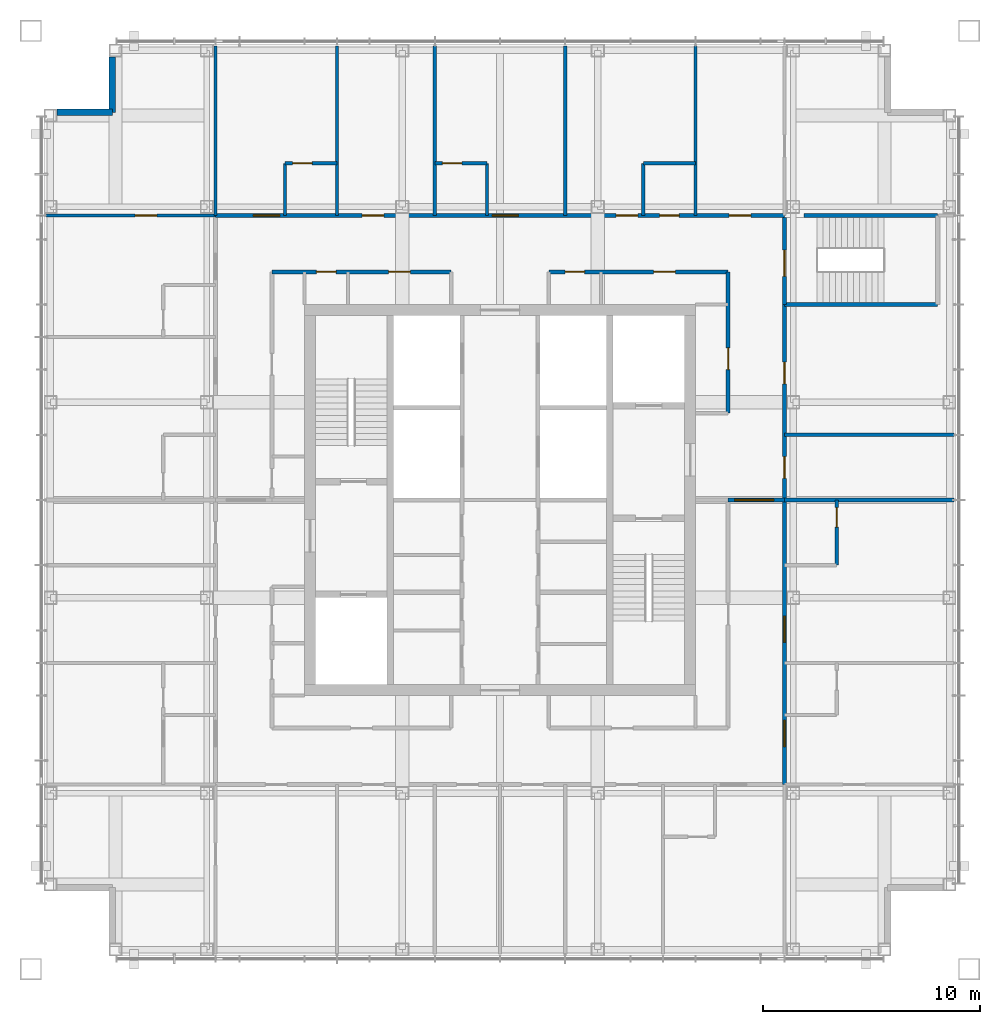
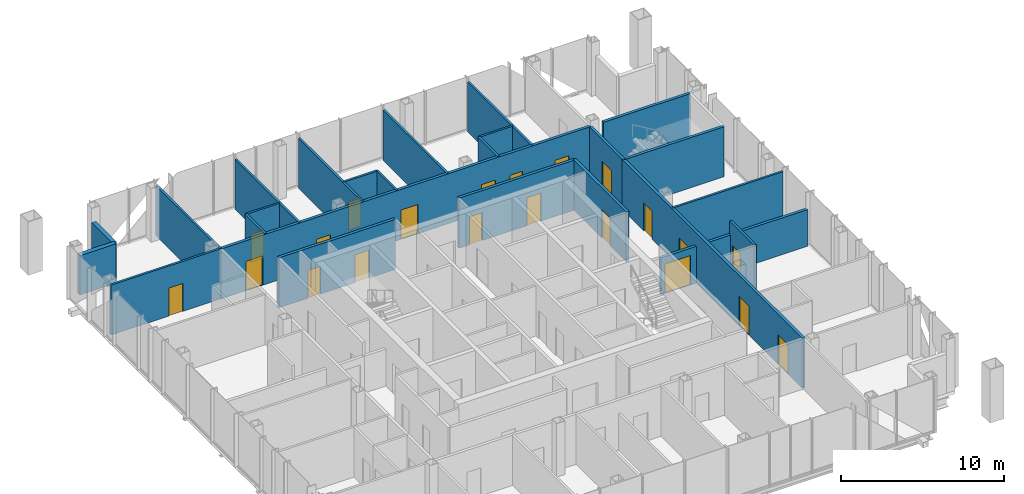
# One storey, part 10 of 16: 26 walls, 21 doors, 21 openings.
"""IFC4 building model written with IfcOpenShell, lengths in metres."""

from ifc_helpers import new_model, si_unit, direction, frame, frame_2d, origin, place, context, subcontext, project, spatial, rectangle, extrude, material, layer, layer_set, type_object, element, fill, save


model = new_model("IFC4")

# Units and contexts
model_context = context("Model", 3, precision=1e-05, world=origin(), true_north=direction((0.0, 1.0)))
body_context = subcontext(model_context, "Body", "Model", "MODEL_VIEW")
ifc_project = project(units=[si_unit("LENGTHUNIT", "METRE"), si_unit("AREAUNIT", "SQUARE_METRE"), si_unit("VOLUMEUNIT", "CUBIC_METRE"), si_unit("PLANEANGLEUNIT", "RADIAN"), si_unit("MASSUNIT", "GRAM", prefix="KILO")], contexts=[model_context])

# Site, building, storey
site_placement = place(None, origin())
site = spatial("IfcSite", under=ifc_project, at=site_placement, CompositionType="ELEMENT")
building_placement = place(site_placement, origin())
building = spatial("IfcBuilding", under=site, at=building_placement, Name="Malebo Sky Hospital", CompositionType="ELEMENT")
storey_placement = place(building_placement, frame((0.0, 0.0, 254.0)))
storey = spatial("IfcBuildingStorey", under=building, at=storey_placement, Name="L61", CompositionType="ELEMENT", Elevation=254.0)

# Wall, openings, doors
ifc_material_1 = material(Name="Gypsum board on steel studs", Category="steel")
ifc_layer_1 = layer(ifc_material_1, 0.199951171875)
ifc_layer_set_1 = layer_set([ifc_layer_1], Name="CORRIDOR WALL 200")
wall_type_1 = type_object("IfcWallType", Name="CORRIDOR WALL 200", PredefinedType="PARTITIONING", material=ifc_layer_set_1)
wall_1_placement = place(storey_placement, frame((46.89990234375, 75.10009765625, 0.0), z_axis=(0.0, 0.0, 1.0), x_axis=(1.0, 0.0, 0.0)))
wall_1 = element("IfcWall", 1, at=wall_1_placement, inside=storey, type_object=wall_type_1, Name="Corridor Wall 200 NCO", PredefinedType="PARTITIONING", context=body_context, shape_type="SweptSolid", body=[
    extrude(rectangle(XDim=26.2001953125, YDim=0.199951171875, at=frame_2d((13.10009765625, 0.0))), origin(), (0.0, 0.0, 1.0), 3.75),
])
opening_1_placement = place(wall_1_placement, frame((1.75, 0.0, 0.0)))
opening_1 = element("IfcOpeningElement", 2, at=opening_1_placement, cuts=wall_1, Name="Opening D01", PredefinedType="OPENING", context=body_context, shape_type="SweptSolid", body=[
    extrude(rectangle(XDim=1.199951171875, YDim=2.199951171875, at=frame_2d((0.60009765625, 1.10009765625))), frame((0.0, 0.10986328125, 0.0), z_axis=(0.0, -1.0, 0.0), x_axis=(1.0, 0.0, 0.0)), (0.0, 0.0, 1.0), 0.219970703125),
])
opening_2_placement = place(wall_1_placement, frame((6.75, 0.0, 0.0)))
opening_2 = element("IfcOpeningElement", 3, at=opening_2_placement, cuts=wall_1, Name="Opening D03", PredefinedType="OPENING", context=body_context, shape_type="SweptSolid", body=[
    extrude(rectangle(XDim=1.0, YDim=2.10009765625, at=frame_2d((0.5, 1.050048828125))), frame((0.0, 0.10986328125, 0.0), z_axis=(0.0, -1.0, 0.0), x_axis=(1.0, 0.0, 0.0)), (0.0, 0.0, 1.0), 0.219970703125),
])
opening_3_placement = place(wall_1_placement, frame((12.75, 0.0, 0.0)))
opening_3 = element("IfcOpeningElement", 4, at=opening_3_placement, cuts=wall_1, Name="Opening D01", PredefinedType="OPENING", context=body_context, shape_type="SweptSolid", body=[
    extrude(rectangle(XDim=1.199951171875, YDim=2.199951171875, at=frame_2d((0.60009765625, 1.10009765625))), frame((0.0, 0.10986328125, 0.0), z_axis=(0.0, -1.0, 0.0), x_axis=(1.0, 0.0, 0.0)), (0.0, 0.0, 1.0), 0.219970703125),
])
opening_4_placement = place(wall_1_placement, frame((20.449951171875, 0.0, 0.0)))
opening_4 = element("IfcOpeningElement", 5, at=opening_4_placement, cuts=wall_1, Name="Opening D04", PredefinedType="OPENING", context=body_context, shape_type="SweptSolid", body=[
    extrude(rectangle(XDim=0.89990234375, YDim=2.10009765625, at=frame_2d((0.449951171875, 1.050048828125))), frame((0.0, 0.10986328125, 0.0), z_axis=(0.0, -1.0, 0.0), x_axis=(1.0, 0.0, 0.0)), (0.0, 0.0, 1.0), 0.219970703125),
])
opening_5_placement = place(wall_1_placement, frame((18.449951171875, 0.0, 0.0)))
opening_5 = element("IfcOpeningElement", 6, at=opening_5_placement, cuts=wall_1, Name="Opening D03", PredefinedType="OPENING", context=body_context, shape_type="SweptSolid", body=[
    extrude(rectangle(XDim=1.0, YDim=2.10009765625, at=frame_2d((0.5, 1.050048828125))), frame((0.0, 0.10986328125, 0.0), z_axis=(0.0, -1.0, 0.0), x_axis=(1.0, 0.0, 0.0)), (0.0, 0.0, 1.0), 0.219970703125),
])
opening_6_placement = place(wall_1_placement, frame((23.64990234375, 0.0, 0.0)))
opening_6 = element("IfcOpeningElement", 7, at=opening_6_placement, cuts=wall_1, Name="Opening D03", PredefinedType="OPENING", context=body_context, shape_type="SweptSolid", body=[
    extrude(rectangle(XDim=1.0, YDim=2.10009765625, at=frame_2d((0.5, 1.050048828125))), frame((0.0, 0.10986328125, 0.0), z_axis=(0.0, -1.0, 0.0), x_axis=(1.0, 0.0, 0.0)), (0.0, 0.0, 1.0), 0.219970703125),
])
ifc_material_2 = material(Name="Hardwood-faced door leaf in steel frame", Category="steel")
door_type_1 = type_object("IfcDoorType", Name="BED DOOR 1200", OperationType="SINGLE_SWING_LEFT", PredefinedType="DOOR", material=ifc_material_2)
door_1_placement = place(opening_1_placement, origin())
door_1 = element("IfcDoor", 8, at=door_1_placement, inside=storey, type_object=door_type_1, Name="Single bed room door", OperationType="SINGLE_SWING_RIGHT", OverallHeight=2.199951171875, OverallWidth=1.199951171875, PredefinedType="DOOR", context=body_context, shape_type="SweptSolid", body=[
    extrude(rectangle(XDim=1.199951171875, YDim=2.199951171875, at=frame_2d((0.60009765625, 1.10009765625))), frame((0.0, 0.02490234375, 0.0), z_axis=(0.0, -1.0, 0.0), x_axis=(1.0, 0.0, 0.0)), (0.0, 0.0, 1.0), 0.050048828125),
])
fill(opening_1, door_1)
door_2_placement = place(opening_3_placement, origin())
door_2 = element("IfcDoor", 9, at=door_2_placement, inside=storey, type_object=door_type_1, Name="Two-bed room door", OperationType="SINGLE_SWING_LEFT", OverallHeight=2.199951171875, OverallWidth=1.199951171875, PredefinedType="DOOR", context=body_context, shape_type="SweptSolid", body=[
    extrude(rectangle(XDim=1.199951171875, YDim=2.199951171875, at=frame_2d((0.60009765625, 1.10009765625))), frame((0.0, 0.02490234375, 0.0), z_axis=(0.0, -1.0, 0.0), x_axis=(1.0, 0.0, 0.0)), (0.0, 0.0, 1.0), 0.050048828125),
])
fill(opening_3, door_2)
door_type_2 = type_object("IfcDoorType", Name="ROOM DOOR 1000", OperationType="SINGLE_SWING_LEFT", PredefinedType="DOOR", material=ifc_material_2)
door_3_placement = place(opening_2_placement, origin())
door_3 = element("IfcDoor", 10, at=door_3_placement, inside=storey, type_object=door_type_2, Name="Nurse station door", OperationType="SINGLE_SWING_LEFT", OverallHeight=2.10009765625, OverallWidth=1.0, PredefinedType="DOOR", context=body_context, shape_type="SweptSolid", body=[
    extrude(rectangle(XDim=1.0, YDim=2.10009765625, at=frame_2d((0.5, 1.050048828125))), frame((0.0, 0.02490234375, 0.0), z_axis=(0.0, -1.0, 0.0), x_axis=(1.0, 0.0, 0.0)), (0.0, 0.0, 1.0), 0.050048828125),
])
fill(opening_2, door_3)
door_4_placement = place(opening_5_placement, origin())
door_4 = element("IfcDoor", 11, at=door_4_placement, inside=storey, type_object=door_type_2, Name="Staff rest room door", OperationType="SINGLE_SWING_RIGHT", OverallHeight=2.10009765625, OverallWidth=1.0, PredefinedType="DOOR", context=body_context, shape_type="SweptSolid", body=[
    extrude(rectangle(XDim=1.0, YDim=2.10009765625, at=frame_2d((0.5, 1.050048828125))), frame((0.0, 0.02490234375, 0.0), z_axis=(0.0, -1.0, 0.0), x_axis=(1.0, 0.0, 0.0)), (0.0, 0.0, 1.0), 0.050048828125),
])
fill(opening_5, door_4)
door_5_placement = place(opening_6_placement, origin())
door_5 = element("IfcDoor", 12, at=door_5_placement, inside=storey, type_object=door_type_2, Name="Patient lounge door", OperationType="SINGLE_SWING_RIGHT", OverallHeight=2.10009765625, OverallWidth=1.0, PredefinedType="DOOR", context=body_context, shape_type="SweptSolid", body=[
    extrude(rectangle(XDim=1.0, YDim=2.10009765625, at=frame_2d((0.5, 1.050048828125))), frame((0.0, 0.02490234375, 0.0), z_axis=(0.0, -1.0, 0.0), x_axis=(1.0, 0.0, 0.0)), (0.0, 0.0, 1.0), 0.050048828125),
])
fill(opening_6, door_5)
door_type_3 = type_object("IfcDoorType", Name="ROOM DOOR 900", OperationType="SINGLE_SWING_LEFT", PredefinedType="DOOR", material=ifc_material_2)
door_6_placement = place(opening_4_placement, origin())
door_6 = element("IfcDoor", 13, at=door_6_placement, inside=storey, type_object=door_type_3, Name="Accessible WC door", OperationType="SINGLE_SWING_LEFT", OverallHeight=2.10009765625, OverallWidth=0.89990234375, PredefinedType="DOOR", context=body_context, shape_type="SweptSolid", body=[
    extrude(rectangle(XDim=0.89990234375, YDim=2.10009765625, at=frame_2d((0.449951171875, 1.050048828125))), frame((0.0, 0.02490234375, 0.0), z_axis=(0.0, -1.0, 0.0), x_axis=(1.0, 0.0, 0.0)), (0.0, 0.0, 1.0), 0.050048828125),
])
fill(opening_4, door_6)

wall_2_placement = place(storey_placement, frame((49.5, 72.5, 0.0), z_axis=(0.0, 0.0, 1.0), x_axis=(1.0, 0.0, 0.0)))
wall_2 = element("IfcWall", 14, at=wall_2_placement, inside=storey, type_object=wall_type_1, Name="Corridor Wall 200 NCI1", PredefinedType="PARTITIONING", context=body_context, shape_type="SweptSolid", body=[
    extrude(rectangle(XDim=8.25, YDim=0.199951171875, at=frame_2d((4.125, 0.0))), origin(), (0.0, 0.0, 1.0), 3.75),
])
opening_7_placement = place(wall_2_placement, frame((2.050048828125, 0.0, 0.0)))
opening_7 = element("IfcOpeningElement", 15, at=opening_7_placement, cuts=wall_2, Name="Opening D04", PredefinedType="OPENING", context=body_context, shape_type="SweptSolid", body=[
    extrude(rectangle(XDim=0.89990234375, YDim=2.10009765625, at=frame_2d((0.449951171875, 1.050048828125))), frame((0.0, 0.10986328125, 0.0), z_axis=(0.0, -1.0, 0.0), x_axis=(1.0, 0.0, 0.0)), (0.0, 0.0, 1.0), 0.219970703125),
])
opening_8_placement = place(wall_2_placement, frame((5.375, 0.0, 0.0)))
opening_8 = element("IfcOpeningElement", 16, at=opening_8_placement, cuts=wall_2, Name="Opening D03", PredefinedType="OPENING", context=body_context, shape_type="SweptSolid", body=[
    extrude(rectangle(XDim=1.0, YDim=2.10009765625, at=frame_2d((0.5, 1.050048828125))), frame((0.0, 0.10986328125, 0.0), z_axis=(0.0, -1.0, 0.0), x_axis=(1.0, 0.0, 0.0)), (0.0, 0.0, 1.0), 0.219970703125),
])
door_7_placement = place(opening_8_placement, origin())
door_7 = element("IfcDoor", 17, at=door_7_placement, inside=storey, type_object=door_type_2, Name="Linen store door", OperationType="SINGLE_SWING_LEFT", OverallHeight=2.10009765625, OverallWidth=1.0, PredefinedType="DOOR", context=body_context, shape_type="SweptSolid", body=[
    extrude(rectangle(XDim=1.0, YDim=2.10009765625, at=frame_2d((0.5, 1.050048828125))), frame((0.0, 0.02490234375, 0.0), z_axis=(0.0, -1.0, 0.0), x_axis=(1.0, 0.0, 0.0)), (0.0, 0.0, 1.0), 0.050048828125),
])
fill(opening_8, door_7)
door_8_placement = place(opening_7_placement, origin())
door_8 = element("IfcDoor", 18, at=door_8_placement, inside=storey, type_object=door_type_3, Name="Staff WC door", OperationType="SINGLE_SWING_LEFT", OverallHeight=2.10009765625, OverallWidth=0.89990234375, PredefinedType="DOOR", context=body_context, shape_type="SweptSolid", body=[
    extrude(rectangle(XDim=0.89990234375, YDim=2.10009765625, at=frame_2d((0.449951171875, 1.050048828125))), frame((0.0, 0.02490234375, 0.0), z_axis=(0.0, -1.0, 0.0), x_axis=(1.0, 0.0, 0.0)), (0.0, 0.0, 1.0), 0.050048828125),
])
fill(opening_7, door_8)

wall_3_placement = place(storey_placement, frame((62.25, 72.5, 0.0), z_axis=(0.0, 0.0, 1.0), x_axis=(1.0, 0.0, 0.0)))
wall_3 = element("IfcWall", 19, at=wall_3_placement, inside=storey, type_object=wall_type_1, Name="Corridor Wall 200 NCI2", PredefinedType="PARTITIONING", context=body_context, shape_type="SweptSolid", body=[
    extrude(rectangle(XDim=8.25, YDim=0.199951171875, at=frame_2d((4.125, 0.0))), origin(), (0.0, 0.0, 1.0), 3.75),
])
opening_9_placement = place(wall_3_placement, frame((0.75, 0.0, 0.0)))
opening_9 = element("IfcOpeningElement", 20, at=opening_9_placement, cuts=wall_3, Name="Opening D04", PredefinedType="OPENING", context=body_context, shape_type="SweptSolid", body=[
    extrude(rectangle(XDim=0.89990234375, YDim=2.10009765625, at=frame_2d((0.449951171875, 1.050048828125))), frame((0.0, 0.10986328125, 0.0), z_axis=(0.0, -1.0, 0.0), x_axis=(1.0, 0.0, 0.0)), (0.0, 0.0, 1.0), 0.219970703125),
])
opening_10_placement = place(wall_3_placement, frame((4.824951171875, 0.0, 0.0)))
opening_10 = element("IfcOpeningElement", 21, at=opening_10_placement, cuts=wall_3, Name="Opening D03", PredefinedType="OPENING", context=body_context, shape_type="SweptSolid", body=[
    extrude(rectangle(XDim=1.0, YDim=2.10009765625, at=frame_2d((0.5, 1.050048828125))), frame((0.0, 0.10986328125, 0.0), z_axis=(0.0, -1.0, 0.0), x_axis=(1.0, 0.0, 0.0)), (0.0, 0.0, 1.0), 0.219970703125),
])
door_9_placement = place(opening_10_placement, origin())
door_9 = element("IfcDoor", 22, at=door_9_placement, inside=storey, type_object=door_type_2, Name="Supplies store door", OperationType="SINGLE_SWING_RIGHT", OverallHeight=2.10009765625, OverallWidth=1.0, PredefinedType="DOOR", context=body_context, shape_type="SweptSolid", body=[
    extrude(rectangle(XDim=1.0, YDim=2.10009765625, at=frame_2d((0.5, 1.050048828125))), frame((0.0, 0.02490234375, 0.0), z_axis=(0.0, -1.0, 0.0), x_axis=(1.0, 0.0, 0.0)), (0.0, 0.0, 1.0), 0.050048828125),
])
fill(opening_10, door_9)
door_10_placement = place(opening_9_placement, origin())
door_10 = element("IfcDoor", 23, at=door_10_placement, inside=storey, type_object=door_type_3, Name="Cleaner's room door", OperationType="SINGLE_SWING_LEFT", OverallHeight=2.10009765625, OverallWidth=0.89990234375, PredefinedType="DOOR", context=body_context, shape_type="SweptSolid", body=[
    extrude(rectangle(XDim=0.89990234375, YDim=2.10009765625, at=frame_2d((0.449951171875, 1.050048828125))), frame((0.0, 0.02490234375, 0.0), z_axis=(0.0, -1.0, 0.0), x_axis=(1.0, 0.0, 0.0)), (0.0, 0.0, 1.0), 0.050048828125),
])
fill(opening_9, door_10)

wall_4_placement = place(storey_placement, frame((73.10009765625, 71.0, 0.0), z_axis=(0.0, 0.0, 1.0), x_axis=(0.0, -1.0, 0.0)))
wall_4 = element("IfcWall", 24, at=wall_4_placement, inside=storey, type_object=wall_type_1, Name="Corridor Wall 200 ECO", PredefinedType="PARTITIONING", context=body_context, shape_type="SweptSolid", body=[
    extrude(rectangle(XDim=22.10009765625, YDim=0.199951171875, at=frame_2d((11.050048828125, 0.0))), origin(), (0.0, 0.0, 1.0), 3.75),
])
opening_11_placement = place(wall_4_placement, frame((2.64990234375, 0.0, 0.0)))
opening_11 = element("IfcOpeningElement", 25, at=opening_11_placement, cuts=wall_4, Name="Opening D03", PredefinedType="OPENING", context=body_context, shape_type="SweptSolid", body=[
    extrude(rectangle(XDim=1.0, YDim=2.10009765625, at=frame_2d((0.5, 1.050048828125))), frame((0.0, 0.10986328125, 0.0), z_axis=(0.0, -1.0, 0.0), x_axis=(1.0, 0.0, 0.0)), (0.0, 0.0, 1.0), 0.219970703125),
])
opening_12_placement = place(wall_4_placement, frame((7.0, 0.0, 0.0)))
opening_12 = element("IfcOpeningElement", 26, at=opening_12_placement, cuts=wall_4, Name="Opening D03", PredefinedType="OPENING", context=body_context, shape_type="SweptSolid", body=[
    extrude(rectangle(XDim=1.0, YDim=2.10009765625, at=frame_2d((0.5, 1.050048828125))), frame((0.0, 0.10986328125, 0.0), z_axis=(0.0, -1.0, 0.0), x_axis=(1.0, 0.0, 0.0)), (0.0, 0.0, 1.0), 0.219970703125),
])
opening_13_placement = place(wall_4_placement, frame((14.35009765625, 0.0, 0.0)))
opening_13 = element("IfcOpeningElement", 27, at=opening_13_placement, cuts=wall_4, Name="Opening D01", PredefinedType="OPENING", context=body_context, shape_type="SweptSolid", body=[
    extrude(rectangle(XDim=1.199951171875, YDim=2.199951171875, at=frame_2d((0.60009765625, 1.10009765625))), frame((0.0, 0.10986328125, 0.0), z_axis=(0.0, -1.0, 0.0), x_axis=(1.0, 0.0, 0.0)), (0.0, 0.0, 1.0), 0.219970703125),
])
opening_14_placement = place(wall_4_placement, frame((19.14990234375, 0.0, 0.0)))
opening_14 = element("IfcOpeningElement", 28, at=opening_14_placement, cuts=wall_4, Name="Opening D01", PredefinedType="OPENING", context=body_context, shape_type="SweptSolid", body=[
    extrude(rectangle(XDim=1.199951171875, YDim=2.199951171875, at=frame_2d((0.60009765625, 1.10009765625))), frame((0.0, 0.10986328125, 0.0), z_axis=(0.0, -1.0, 0.0), x_axis=(1.0, 0.0, 0.0)), (0.0, 0.0, 1.0), 0.219970703125),
])
door_11_placement = place(opening_13_placement, origin())
door_11 = element("IfcDoor", 29, at=door_11_placement, inside=storey, type_object=door_type_1, Name="Two-bed room door", OperationType="SINGLE_SWING_RIGHT", OverallHeight=2.199951171875, OverallWidth=1.199951171875, PredefinedType="DOOR", context=body_context, shape_type="SweptSolid", body=[
    extrude(rectangle(XDim=1.199951171875, YDim=2.199951171875, at=frame_2d((0.60009765625, 1.10009765625))), frame((0.0, 0.02490234375, 0.0), z_axis=(0.0, -1.0, 0.0), x_axis=(1.0, 0.0, 0.0)), (0.0, 0.0, 1.0), 0.050048828125),
])
fill(opening_13, door_11)
door_12_placement = place(opening_14_placement, origin())
door_12 = element("IfcDoor", 30, at=door_12_placement, inside=storey, type_object=door_type_1, Name="Day treatment bay door", OperationType="SINGLE_SWING_LEFT", OverallHeight=2.199951171875, OverallWidth=1.199951171875, PredefinedType="DOOR", context=body_context, shape_type="SweptSolid", body=[
    extrude(rectangle(XDim=1.199951171875, YDim=2.199951171875, at=frame_2d((0.60009765625, 1.10009765625))), frame((0.0, 0.02490234375, 0.0), z_axis=(0.0, -1.0, 0.0), x_axis=(1.0, 0.0, 0.0)), (0.0, 0.0, 1.0), 0.050048828125),
])
fill(opening_14, door_12)
door_13_placement = place(opening_11_placement, origin())
door_13 = element("IfcDoor", 31, at=door_13_placement, inside=storey, type_object=door_type_2, Name="Ward office door", OperationType="SINGLE_SWING_RIGHT", OverallHeight=2.10009765625, OverallWidth=1.0, PredefinedType="DOOR", context=body_context, shape_type="SweptSolid", body=[
    extrude(rectangle(XDim=1.0, YDim=2.10009765625, at=frame_2d((0.5, 1.050048828125))), frame((0.0, 0.02490234375, 0.0), z_axis=(0.0, -1.0, 0.0), x_axis=(1.0, 0.0, 0.0)), (0.0, 0.0, 1.0), 0.050048828125),
])
fill(opening_11, door_13)
door_14_placement = place(opening_12_placement, origin())
door_14 = element("IfcDoor", 32, at=door_14_placement, inside=storey, type_object=door_type_2, Name="Interview room door", OperationType="SINGLE_SWING_RIGHT", OverallHeight=2.10009765625, OverallWidth=1.0, PredefinedType="DOOR", context=body_context, shape_type="SweptSolid", body=[
    extrude(rectangle(XDim=1.0, YDim=2.10009765625, at=frame_2d((0.5, 1.050048828125))), frame((0.0, 0.02490234375, 0.0), z_axis=(0.0, -1.0, 0.0), x_axis=(1.0, 0.0, 0.0)), (0.0, 0.0, 1.0), 0.050048828125),
])
fill(opening_12, door_14)

# Wall, opening, door
wall_5_placement = place(storey_placement, frame((70.5, 72.5, 0.0), z_axis=(0.0, 0.0, 1.0), x_axis=(0.0, -1.0, 0.0)))
wall_5 = element("IfcWall", 33, at=wall_5_placement, inside=storey, type_object=wall_type_1, Name="Corridor Wall 200 ECI1", PredefinedType="PARTITIONING", context=body_context, shape_type="SweptSolid", body=[
    extrude(rectangle(XDim=6.5, YDim=0.199951171875, at=frame_2d((3.25, 0.0))), origin(), (0.0, 0.0, 1.0), 3.75),
])
opening_15_placement = place(wall_5_placement, frame((3.5, 0.0, 0.0)))
opening_15 = element("IfcOpeningElement", 34, at=opening_15_placement, cuts=wall_5, Name="Opening D03", PredefinedType="OPENING", context=body_context, shape_type="SweptSolid", body=[
    extrude(rectangle(XDim=1.0, YDim=2.10009765625, at=frame_2d((0.5, 1.050048828125))), frame((0.0, 0.10986328125, 0.0), z_axis=(0.0, -1.0, 0.0), x_axis=(1.0, 0.0, 0.0)), (0.0, 0.0, 1.0), 0.219970703125),
])
door_15_placement = place(opening_15_placement, origin())
door_15 = element("IfcDoor", 35, at=door_15_placement, inside=storey, type_object=door_type_2, Name="Hoist store door", OperationType="SINGLE_SWING_LEFT", OverallHeight=2.10009765625, OverallWidth=1.0, PredefinedType="DOOR", context=body_context, shape_type="SweptSolid", body=[
    extrude(rectangle(XDim=1.0, YDim=2.10009765625, at=frame_2d((0.5, 1.050048828125))), frame((0.0, 0.02490234375, 0.0), z_axis=(0.0, -1.0, 0.0), x_axis=(1.0, 0.0, 0.0)), (0.0, 0.0, 1.0), 0.050048828125),
])
fill(opening_15, door_15)

# Walls
ifc_material_3 = material(Name="Anodised aluminium rainscreen on steel framing", Category="steel")
ifc_layer_2 = layer(ifc_material_3, 0.300048828125)
ifc_layer_set_2 = layer_set([ifc_layer_2], Name="NOTCH RAINSCREEN WALL 300")
wall_type_2 = type_object("IfcWallType", Name="NOTCH RAINSCREEN WALL 300", PredefinedType="ELEMENTEDWALL", material=ifc_layer_set_2)
for number, where, z_axis, x_axis, name in (
    (36, (39.60009765625, 79.85009765625, 0.0), (0.0, 0.0, 1.0), (1.0, 0.0, 0.0), "Notch rainscreen wall W1 L61"),
    (37, (42.14990234375, 79.85009765625, 0.0), (0.0, 0.0, 1.0), (0.0, 1.0, 0.0), "Notch rainscreen wall W2 L61"),
):
    element("IfcWall", number, at=place(storey_placement, frame(where, z_axis=z_axis, x_axis=x_axis)), inside=storey, type_object=wall_type_2, Name=name, PredefinedType="ELEMENTEDWALL", context=body_context, shape_type="SweptSolid", body=[
        extrude(rectangle(XDim=2.5498046875, YDim=0.300048828125, at=frame_2d((1.27490234375, 0.0))), origin(), (0.0, 0.0, 1.0), 2.949951171875),
    ])
ifc_layer_3 = layer(ifc_material_1, 0.14990234375)
ifc_layer_set_3 = layer_set([ifc_layer_3], Name="PARTITION 150")
wall_type_3 = type_object("IfcWallType", Name="PARTITION 150", PredefinedType="PARTITIONING", material=ifc_layer_set_3)
for number, where, z_axis, x_axis, name in (
    (38, (52.5, 75.10009765625, 0.0), (0.0, 0.0, 1.0), (0.0, 1.0, 0.0), "Partition 150 NP-7.5"),
    (39, (57.0, 75.10009765625, 0.0), (0.0, 0.0, 1.0), (0.0, 1.0, 0.0), "Partition 150 NP-3.0"),
    (40, (63.0, 75.10009765625, 0.0), (0.0, 0.0, 1.0), (0.0, 1.0, 0.0), "Partition 150 NP+3.0"),
    (41, (69.0, 75.10009765625, 0.0), (0.0, 0.0, 1.0), (0.0, 1.0, 0.0), "Partition 150 NP+9.0"),
    (42, (46.89990234375, 75.10009765625, 0.0), (0.0, 0.0, 1.0), (0.0, 1.0, 0.0), "Partition 150 NP0"),
):
    element("IfcWall", number, at=place(storey_placement, frame(where, z_axis=z_axis, x_axis=x_axis)), inside=storey, type_object=wall_type_3, Name=name, PredefinedType="PARTITIONING", context=body_context, shape_type="SweptSolid", body=[
        extrude(rectangle(XDim=7.7998046875, YDim=0.14990234375, at=frame_2d((3.89990234375, 0.0))), origin(), (0.0, 0.0, 1.0), 3.75),
    ])

# Wall, opening, door
wall_6_placement = place(storey_placement, frame((50.10009765625, 77.5, 0.0), z_axis=(0.0, 0.0, 1.0), x_axis=(1.0, 0.0, 0.0)))
wall_6 = element("IfcWall", 43, at=wall_6_placement, inside=storey, type_object=wall_type_3, Name="Partition 150 NE0F", PredefinedType="PARTITIONING", context=body_context, shape_type="SweptSolid", body=[
    extrude(rectangle(XDim=2.39990234375, YDim=0.14990234375, at=frame_2d((1.199951171875, 0.0))), origin(), (0.0, 0.0, 1.0), 3.75),
])
opening_16_placement = place(wall_6_placement, frame((0.35009765625, 0.0, 0.0)))
opening_16 = element("IfcOpeningElement", 44, at=opening_16_placement, cuts=wall_6, Name="Opening D02", PredefinedType="OPENING", context=body_context, shape_type="SweptSolid", body=[
    extrude(rectangle(XDim=0.89990234375, YDim=2.10009765625, at=frame_2d((0.449951171875, 1.050048828125))), frame((0.0, 0.0849609375, 0.0), z_axis=(0.0, -1.0, 0.0), x_axis=(1.0, 0.0, 0.0)), (0.0, 0.0, 1.0), 0.169921875),
])
door_type_4 = type_object("IfcDoorType", Name="EN-SUITE DOOR 900", OperationType="SINGLE_SWING_LEFT", PredefinedType="DOOR", material=ifc_material_2)
door_16_placement = place(opening_16_placement, origin())
door_16 = element("IfcDoor", 45, at=door_16_placement, inside=storey, type_object=door_type_4, Name="En-suite door", OperationType="SINGLE_SWING_LEFT", OverallHeight=2.10009765625, OverallWidth=0.89990234375, PredefinedType="DOOR", context=body_context, shape_type="SweptSolid", body=[
    extrude(rectangle(XDim=0.89990234375, YDim=2.10009765625, at=frame_2d((0.449951171875, 1.050048828125))), frame((0.0, 0.02490234375, 0.0), z_axis=(0.0, -1.0, 0.0), x_axis=(1.0, 0.0, 0.0)), (0.0, 0.0, 1.0), 0.050048828125),
])
fill(opening_16, door_16)

# Wall
wall_7_placement = place(storey_placement, frame((50.10009765625, 75.10009765625, 0.0), z_axis=(0.0, 0.0, 1.0), x_axis=(0.0, 1.0, 0.0)))
element("IfcWall", 46, at=wall_7_placement, inside=storey, type_object=wall_type_3, Name="Partition 150 NE0S", PredefinedType="PARTITIONING", context=body_context, shape_type="SweptSolid", body=[
    extrude(rectangle(XDim=2.39990234375, YDim=0.14990234375, at=frame_2d((1.199951171875, 0.0))), origin(), (0.0, 0.0, 1.0), 3.75),
])

# Wall, opening, door
wall_8_placement = place(storey_placement, frame((57.0, 77.5, 0.0), z_axis=(0.0, 0.0, 1.0), x_axis=(1.0, 0.0, 0.0)))
wall_8 = element("IfcWall", 47, at=wall_8_placement, inside=storey, type_object=wall_type_3, Name="Partition 150 NE2F", PredefinedType="PARTITIONING", context=body_context, shape_type="SweptSolid", body=[
    extrude(rectangle(XDim=2.39990234375, YDim=0.14990234375, at=frame_2d((1.199951171875, 0.0))), origin(), (0.0, 0.0, 1.0), 3.75),
])
opening_17_placement = place(wall_8_placement, frame((0.35009765625, 0.0, 0.0)))
opening_17 = element("IfcOpeningElement", 48, at=opening_17_placement, cuts=wall_8, Name="Opening D02", PredefinedType="OPENING", context=body_context, shape_type="SweptSolid", body=[
    extrude(rectangle(XDim=0.89990234375, YDim=2.10009765625, at=frame_2d((0.449951171875, 1.050048828125))), frame((0.0, 0.0849609375, 0.0), z_axis=(0.0, -1.0, 0.0), x_axis=(1.0, 0.0, 0.0)), (0.0, 0.0, 1.0), 0.169921875),
])
door_17_placement = place(opening_17_placement, origin())
door_17 = element("IfcDoor", 49, at=door_17_placement, inside=storey, type_object=door_type_4, Name="En-suite door", OperationType="SINGLE_SWING_LEFT", OverallHeight=2.10009765625, OverallWidth=0.89990234375, PredefinedType="DOOR", context=body_context, shape_type="SweptSolid", body=[
    extrude(rectangle(XDim=0.89990234375, YDim=2.10009765625, at=frame_2d((0.449951171875, 1.050048828125))), frame((0.0, 0.02490234375, 0.0), z_axis=(0.0, -1.0, 0.0), x_axis=(1.0, 0.0, 0.0)), (0.0, 0.0, 1.0), 0.050048828125),
])
fill(opening_17, door_17)

# Walls
for number, where, z_axis, x_axis, name in (
    (50, (59.39990234375, 75.10009765625, 0.0), (0.0, 0.0, 1.0), (0.0, 1.0, 0.0), "Partition 150 NE2S"),
    (51, (66.60009765625, 77.5, 0.0), (0.0, 0.0, 1.0), (1.0, 0.0, 0.0), "Partition 150 NC3F"),
    (52, (66.60009765625, 75.10009765625, 0.0), (0.0, 0.0, 1.0), (0.0, 1.0, 0.0), "Partition 150 NC3S"),
):
    element("IfcWall", number, at=place(storey_placement, frame(where, z_axis=z_axis, x_axis=x_axis)), inside=storey, type_object=wall_type_3, Name=name, PredefinedType="PARTITIONING", context=body_context, shape_type="SweptSolid", body=[
        extrude(rectangle(XDim=2.39990234375, YDim=0.14990234375, at=frame_2d((1.199951171875, 0.0))), origin(), (0.0, 0.0, 1.0), 3.75),
    ])

# Wall, opening, door
wall_9_placement = place(storey_placement, frame((46.89990234375, 75.10009765625, 0.0), z_axis=(0.0, 0.0, 1.0), x_axis=(-1.0, 0.0, 0.0)))
wall_9 = element("IfcWall", 53, at=wall_9_placement, inside=storey, type_object=wall_type_3, Name="Partition 150 WK", PredefinedType="PARTITIONING", context=body_context, shape_type="SweptSolid", body=[
    extrude(rectangle(XDim=7.7998046875, YDim=0.14990234375, at=frame_2d((3.89990234375, 0.0))), origin(), (0.0, 0.0, 1.0), 3.75),
])
opening_18_placement = place(wall_9_placement, frame((2.699951171875, 0.0, 0.0)))
opening_18 = element("IfcOpeningElement", 54, at=opening_18_placement, cuts=wall_9, Name="Opening D03", PredefinedType="OPENING", context=body_context, shape_type="SweptSolid", body=[
    extrude(rectangle(XDim=1.0, YDim=2.10009765625, at=frame_2d((0.5, 1.050048828125))), frame((0.0, 0.0849609375, 0.0), z_axis=(0.0, -1.0, 0.0), x_axis=(1.0, 0.0, 0.0)), (0.0, 0.0, 1.0), 0.169921875),
])
door_18_placement = place(opening_18_placement, origin())
door_18 = element("IfcDoor", 55, at=door_18_placement, inside=storey, type_object=door_type_2, Name="Infusion chair bay door", OperationType="SINGLE_SWING_LEFT", OverallHeight=2.10009765625, OverallWidth=1.0, PredefinedType="DOOR", context=body_context, shape_type="SweptSolid", body=[
    extrude(rectangle(XDim=1.0, YDim=2.10009765625, at=frame_2d((0.5, 1.050048828125))), frame((0.0, 0.02490234375, 0.0), z_axis=(0.0, -1.0, 0.0), x_axis=(1.0, 0.0, 0.0)), (0.0, 0.0, 1.0), 0.050048828125),
])
fill(opening_18, door_18)

# Wall
wall_10_placement = place(storey_placement, frame((73.10009765625, 65.0, 0.0), z_axis=(0.0, 0.0, 1.0), x_axis=(1.0, 0.0, 0.0)))
element("IfcWall", 56, at=wall_10_placement, inside=storey, type_object=wall_type_3, Name="Partition 150 EP-3.0", PredefinedType="PARTITIONING", context=body_context, shape_type="SweptSolid", body=[
    extrude(rectangle(XDim=7.7998046875, YDim=0.14990234375, at=frame_2d((3.89990234375, 0.0))), origin(), (0.0, 0.0, 1.0), 3.75),
])

# Wall, opening, door
wall_11_placement = place(storey_placement, frame((75.5, 62.0, 0.0), z_axis=(0.0, 0.0, 1.0), x_axis=(0.0, -1.0, 0.0)))
wall_11 = element("IfcWall", 57, at=wall_11_placement, inside=storey, type_object=wall_type_3, Name="Partition 150 EE3F", PredefinedType="PARTITIONING", context=body_context, shape_type="SweptSolid", body=[
    extrude(rectangle(XDim=3.0, YDim=0.14990234375, at=frame_2d((1.5, 0.0))), origin(), (0.0, 0.0, 1.0), 3.75),
])
opening_19_placement = place(wall_11_placement, frame((0.35009765625, 0.0, 0.0)))
opening_19 = element("IfcOpeningElement", 58, at=opening_19_placement, cuts=wall_11, Name="Opening D02", PredefinedType="OPENING", context=body_context, shape_type="SweptSolid", body=[
    extrude(rectangle(XDim=0.89990234375, YDim=2.10009765625, at=frame_2d((0.449951171875, 1.050048828125))), frame((0.0, 0.0849609375, 0.0), z_axis=(0.0, -1.0, 0.0), x_axis=(1.0, 0.0, 0.0)), (0.0, 0.0, 1.0), 0.169921875),
])
door_19_placement = place(opening_19_placement, origin())
door_19 = element("IfcDoor", 59, at=door_19_placement, inside=storey, type_object=door_type_4, Name="En-suite door", OperationType="SINGLE_SWING_LEFT", OverallHeight=2.10009765625, OverallWidth=0.89990234375, PredefinedType="DOOR", context=body_context, shape_type="SweptSolid", body=[
    extrude(rectangle(XDim=0.89990234375, YDim=2.10009765625, at=frame_2d((0.449951171875, 1.050048828125))), frame((0.0, 0.02490234375, 0.0), z_axis=(0.0, -1.0, 0.0), x_axis=(1.0, 0.0, 0.0)), (0.0, 0.0, 1.0), 0.050048828125),
])
fill(opening_19, door_19)

# Wall
ifc_material_4 = material(Name="Concrete blockwork", Category="masonry")
ifc_layer_4 = layer(ifc_material_4, 0.199951171875)
ifc_layer_set_4 = layer_set([ifc_layer_4], Name="SMOKE BARRIER WALL 200")
wall_type_4 = type_object("IfcWallType", Name="SMOKE BARRIER WALL 200", PredefinedType="SOLIDWALL", material=ifc_layer_set_4)
wall_12_placement = place(storey_placement, frame((73.10009765625, 62.0, 0.0), z_axis=(0.0, 0.0, 1.0), x_axis=(1.0, 0.0, 0.0)))
element("IfcWall", 60, at=wall_12_placement, inside=storey, type_object=wall_type_4, Name="Smoke Barrier Wall 200 EP+0.0", PredefinedType="SOLIDWALL", context=body_context, shape_type="SweptSolid", body=[
    extrude(rectangle(XDim=7.7998046875, YDim=0.199951171875, at=frame_2d((3.89990234375, 0.0))), origin(), (0.0, 0.0, 1.0), 2.75),
])

# Wall, opening, door
wall_13_placement = place(storey_placement, frame((70.5, 62.0, 0.0), z_axis=(0.0, 0.0, 1.0), x_axis=(1.0, 0.0, 0.0)))
wall_13 = element("IfcWall", 61, at=wall_13_placement, inside=storey, type_object=wall_type_4, Name="Smoke Barrier Wall 200 ESB", PredefinedType="SOLIDWALL", context=body_context, shape_type="SweptSolid", body=[
    extrude(rectangle(XDim=2.60009765625, YDim=0.199951171875, at=frame_2d((1.300048828125, 0.0))), origin(), (0.0, 0.0, 1.0), 2.75),
])
opening_20_placement = place(wall_13_placement, frame((0.300048828125, 0.0, 0.0)))
opening_20 = element("IfcOpeningElement", 62, at=opening_20_placement, cuts=wall_13, Name="Opening D05", PredefinedType="OPENING", context=body_context, shape_type="SweptSolid", body=[
    extrude(rectangle(XDim=1.800048828125, YDim=2.199951171875, at=frame_2d((0.89990234375, 1.10009765625))), frame((0.0, 0.10986328125, 0.0), z_axis=(0.0, -1.0, 0.0), x_axis=(1.0, 0.0, 0.0)), (0.0, 0.0, 1.0), 0.219970703125),
])
door_type_5 = type_object("IfcDoorType", Name="SMOKE DOOR PAIR 1800", OperationType="DOUBLE_DOOR_DOUBLE_SWING", PredefinedType="DOOR", material=ifc_material_2)
door_20_placement = place(opening_20_placement, origin())
door_20 = element("IfcDoor", 63, at=door_20_placement, inside=storey, type_object=door_type_5, Name="Smoke compartment door pair", OperationType="DOUBLE_DOOR_DOUBLE_SWING", OverallHeight=2.199951171875, OverallWidth=1.800048828125, PredefinedType="DOOR", context=body_context, shape_type="SweptSolid", body=[
    extrude(rectangle(XDim=1.800048828125, YDim=2.199951171875, at=frame_2d((0.89990234375, 1.10009765625))), frame((0.0, 0.02490234375, 0.0), z_axis=(0.0, -1.0, 0.0), x_axis=(1.0, 0.0, 0.0)), (0.0, 0.0, 1.0), 0.050048828125),
])
fill(opening_20, door_20)

ifc_material_5 = material(Name="Concrete C40/50", Category="concrete")
ifc_layer_5 = layer(ifc_material_5, 0.199951171875)
ifc_layer_set_5 = layer_set([ifc_layer_5], Name="STAIR ENCLOSURE WALL 200")
wall_type_5 = type_object("IfcWallType", Name="STAIR ENCLOSURE WALL 200", PredefinedType="SOLIDWALL", material=ifc_layer_set_5)
wall_14_placement = place(storey_placement, frame((73.10009765625, 75.0, 0.0), z_axis=(0.0, 0.0, 1.0), x_axis=(0.0, -1.0, 0.0)))
wall_14 = element("IfcWall", 64, at=wall_14_placement, inside=storey, type_object=wall_type_5, Name="Stair Enclosure Wall 200 ST3W", PredefinedType="SOLIDWALL", context=body_context, shape_type="SweptSolid", body=[
    extrude(rectangle(XDim=4.0, YDim=0.199951171875, at=frame_2d((2.0, 0.0))), origin(), (0.0, 0.0, 1.0), 3.75),
])
opening_21_placement = place(wall_14_placement, frame((1.5, 0.0, 0.0)))
opening_21 = element("IfcOpeningElement", 65, at=opening_21_placement, cuts=wall_14, Name="Opening D08", PredefinedType="OPENING", context=body_context, shape_type="SweptSolid", body=[
    extrude(rectangle(XDim=1.199951171875, YDim=2.10009765625, at=frame_2d((0.60009765625, 1.050048828125))), frame((0.0, 0.10986328125, 0.0), z_axis=(0.0, -1.0, 0.0), x_axis=(1.0, 0.0, 0.0)), (0.0, 0.0, 1.0), 0.219970703125),
])
door_type_6 = type_object("IfcDoorType", Name="STAIR DOOR 1200", OperationType="SINGLE_SWING_LEFT", PredefinedType="DOOR", material=ifc_material_2)
door_21_placement = place(opening_21_placement, origin())
door_21 = element("IfcDoor", 66, at=door_21_placement, inside=storey, type_object=door_type_6, Name="Stair S3 door", OperationType="SINGLE_SWING_RIGHT", OverallHeight=2.10009765625, OverallWidth=1.199951171875, PredefinedType="DOOR", context=body_context, shape_type="SweptSolid", body=[
    extrude(rectangle(XDim=1.199951171875, YDim=2.10009765625, at=frame_2d((0.60009765625, 1.050048828125))), frame((0.0, 0.02490234375, 0.0), z_axis=(0.0, -1.0, 0.0), x_axis=(1.0, 0.0, 0.0)), (0.0, 0.0, 1.0), 0.050048828125),
])
fill(opening_21, door_21)

# Walls
wall_15_placement = place(storey_placement, frame((73.10009765625, 71.0, 0.0), z_axis=(0.0, 0.0, 1.0), x_axis=(1.0, 0.0, 0.0)))
element("IfcWall", 67, at=wall_15_placement, inside=storey, type_object=wall_type_5, Name="Stair Enclosure Wall 200 ST3S", PredefinedType="SOLIDWALL", context=body_context, shape_type="SweptSolid", body=[
    extrude(rectangle(XDim=7.0498046875, YDim=0.199951171875, at=frame_2d((3.52490234375, 0.0))), origin(), (0.0, 0.0, 1.0), 3.75),
])
wall_16_placement = place(storey_placement, frame((74.0, 75.10009765625, 0.0), z_axis=(0.0, 0.0, 1.0), x_axis=(1.0, 0.0, 0.0)))
element("IfcWall", 68, at=wall_16_placement, inside=storey, type_object=wall_type_5, Name="Stair Enclosure Wall 200 ST3N", PredefinedType="SOLIDWALL", context=body_context, shape_type="SweptSolid", body=[
    extrude(rectangle(XDim=6.14990234375, YDim=0.199951171875, at=frame_2d((3.074951171875, 0.0))), origin(), (0.0, 0.0, 1.0), 3.75),
])

save(model, "model.ifc")
